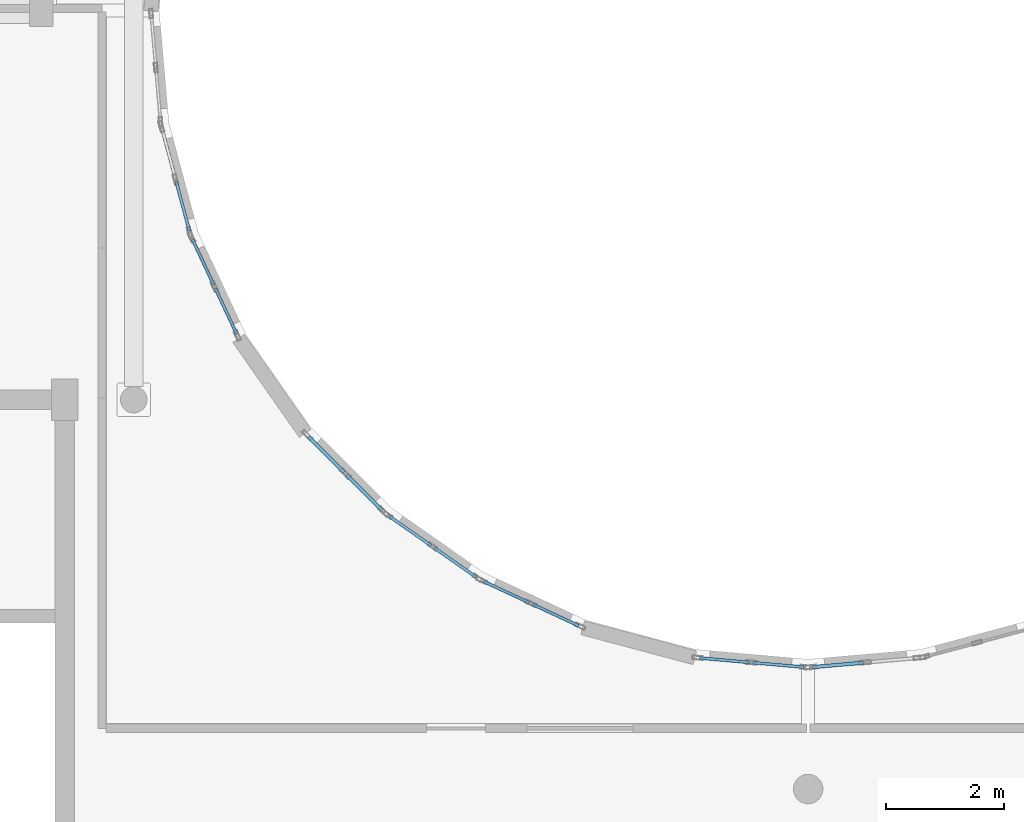
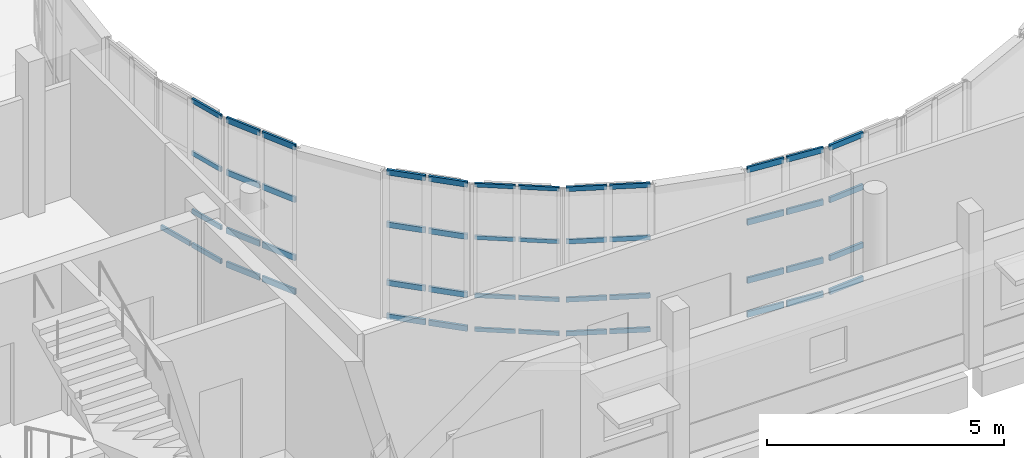
# One storey, part 52 of 105: 49 members, 7 elements without a shape of their own.
"""IFC4 building model written with IfcOpenShell, lengths in metres."""

import ifcopenshell
import ifcopenshell.guid

model = None  # the IFC model being written
_history = None  # IfcOwnerHistory: only IFC2X3 demands one
_inside = {}  # id of a spatial element -> (the spatial element, [elements in it])
_under = {}  # id of a project, library or spatial element -> (it, [spatial elements below it])
_declared = {}  # id of a project -> (the project, [libraries it declares])
_typed = {}  # id of a type object -> (the type object, [elements of that type])
_made_of = {}  # id of a material, layer set ... -> (it, [elements and type objects made of it])


def new_model(schema):
    """Start an empty IFC model of exactly this schema.

    Asked for "IFC4X3", IfcOpenShell would pick the latest addendum, in which some entities
    have other attributes; the version numbers below select the first issue.
    IFC2X3 requires an IfcOwnerHistory on every rooted entity: one is made here for all.
    """
    global model, _history
    if schema == "IFC4X3":
        model = ifcopenshell.file(schema_version=(4, 3, 0, 0))
    else:
        model = ifcopenshell.file(schema=schema)
    _inside.clear()
    _under.clear()
    _declared.clear()
    _typed.clear()
    _made_of.clear()
    _history = None
    if model.schema == "IFC2X3":
        org = make("IfcOrganization", Name="unknown")
        user = make(
            "IfcPersonAndOrganization",
            ThePerson=make("IfcPerson", FamilyName="unknown"),
            TheOrganization=org,
        )
        app = make(
            "IfcApplication",
            ApplicationDeveloper=org,
            Version="unknown",
            ApplicationFullName="unknown",
            ApplicationIdentifier="unknown",
        )
        _history = make(
            "IfcOwnerHistory",
            OwningUser=user,
            OwningApplication=app,
            ChangeAction="ADDED",
            CreationDate=0,
        )
    return model


def make(cls, **values):
    """One entity of the class cls with the attributes given. An attribute that is None is left unset."""
    return model.create_entity(
        cls, **{name: value for name, value in values.items() if value is not None}
    )


def rooted(cls, **values):
    """An entity with a GlobalId (a new one), such as an element, a storey or a relation."""
    return make(cls, GlobalId=ifcopenshell.guid.new(), OwnerHistory=_history, **values)


def si_unit(unit_type, name, prefix=None):
    """IfcSIUnit, for example si_unit("LENGTHUNIT", "METRE", prefix="MILLI")."""
    return make("IfcSIUnit", UnitType=unit_type, Prefix=prefix, Name=name)


def assignment(units):
    """IfcUnitAssignment: the units of a project."""
    return None if units is None else make("IfcUnitAssignment", Units=units)


def point(xyz):
    """IfcCartesianPoint."""
    return None if xyz is None else make("IfcCartesianPoint", Coordinates=xyz)


def direction(xyz):
    """IfcDirection."""
    return None if xyz is None else make("IfcDirection", DirectionRatios=xyz)


def frame(location, z_axis=None, x_axis=None):
    """IfcAxis2Placement3D, a coordinate frame: its origin and axes. An axis left out is left unset."""
    return make(
        "IfcAxis2Placement3D",
        Location=point(location),
        Axis=direction(z_axis),
        RefDirection=direction(x_axis),
    )


def frame_2d(location, x_axis=None):
    """IfcAxis2Placement2D, a coordinate frame in the plane: its origin and x axis."""
    return make(
        "IfcAxis2Placement2D", Location=point(location), RefDirection=direction(x_axis)
    )


def origin():
    """The frame at (0, 0, 0) with its axes left unset."""
    return frame((0.0, 0.0, 0.0))


def origin_2d():
    """The frame at (0, 0) in the plane with its x axis left unset."""
    return frame_2d((0.0, 0.0))


def place(relative_to, where):
    """IfcLocalPlacement: puts the frame where relative to a parent placement (None: the world)."""
    return make(
        "IfcLocalPlacement", PlacementRelTo=relative_to, RelativePlacement=where
    )


def context(
    kind, dimensions, precision=None, world=None, true_north=None, identifier=None
):
    """IfcGeometricRepresentationContext, for example the 3D "Model" context."""
    return make(
        "IfcGeometricRepresentationContext",
        ContextIdentifier=identifier,
        ContextType=kind,
        CoordinateSpaceDimension=dimensions,
        Precision=precision,
        WorldCoordinateSystem=world,
        TrueNorth=true_north,
    )


def subcontext(parent, identifier, kind, view, scale=None):
    """IfcGeometricRepresentationSubContext, for example "Body" below "Model"."""
    return make(
        "IfcGeometricRepresentationSubContext",
        ContextIdentifier=identifier,
        ContextType=kind,
        ParentContext=parent,
        TargetScale=scale,
        TargetView=view,
    )


def project(units=None, contexts=None):
    """IfcProject with its units and contexts."""
    return rooted(
        "IfcProject",
        Name="project",
        RepresentationContexts=contexts,
        UnitsInContext=assignment(units),
    )


def spatial(cls, under=None, at=None, **own):
    """A site, building, storey or space (cls), placed at a placement, below another one or the project."""
    s = rooted(cls, ObjectPlacement=at, **own)
    if under is not None:
        _under.setdefault(under.id(), (under, []))[1].append(s)
    return s


def profile(cls, at=None, kind="AREA", **sizes):
    """A parametric profile (cls). Its sizes go by their IFC names, for example OverallWidth=200.0."""
    return make(cls, ProfileType=kind, Position=at, **sizes)


def hollow_rectangle(**sizes):
    """IfcRectangleHollowProfileDef."""
    return profile("IfcRectangleHollowProfileDef", **sizes)


def extrude(swept, where, along, depth):
    """IfcExtrudedAreaSolid: the profile swept, set in the frame where, extruded along a direction by depth."""
    return make(
        "IfcExtrudedAreaSolid",
        SweptArea=swept,
        Position=where,
        ExtrudedDirection=direction(along),
        Depth=depth,
    )


def shape(context_of_items, identifier, shape_type, items):
    """IfcShapeRepresentation: the items that make up one representation, for example the "Body"."""
    return make(
        "IfcShapeRepresentation",
        ContextOfItems=context_of_items,
        RepresentationIdentifier=identifier,
        RepresentationType=shape_type,
        Items=items,
    )


def material(Name=None, Category=None):
    """IfcMaterial."""
    return make("IfcMaterial", Name=Name, Category=Category)


def layer(
    of_material, thickness, ventilated=None, Name=None, Category=None, Priority=None
):
    """IfcMaterialLayer: one layer of a wall or slab, of a material (None: an air gap)."""
    return make(
        "IfcMaterialLayer",
        Material=of_material,
        LayerThickness=thickness,
        IsVentilated=ventilated,
        Name=Name,
        Category=Category,
        Priority=Priority,
    )


def layer_set(layers, Name=None):
    """IfcMaterialLayerSet."""
    return make("IfcMaterialLayerSet", MaterialLayers=layers, LayerSetName=Name)


def material_profile(
    of_material, cross_section, Name=None, Category=None, Priority=None
):
    """IfcMaterialProfile: a cross section and its material."""
    return make(
        "IfcMaterialProfile",
        Name=Name,
        Material=of_material,
        Profile=cross_section,
        Priority=Priority,
        Category=Category,
    )


def profile_set(profiles, Name=None, composite=None):
    """IfcMaterialProfileSet."""
    return make(
        "IfcMaterialProfileSet",
        Name=Name,
        MaterialProfiles=profiles,
        CompositeProfile=composite,
    )


def made_of(thing, what):
    """Note that an element or type object is made of a material, layer set ...; save() writes the relation."""
    if what is not None:
        _made_of.setdefault(what.id(), (what, []))[1].append(thing)
    return thing


def type_object(cls, material=None, **own):
    """A type object (cls), such as IfcWallType, which elements share."""
    return made_of(rooted(cls, **own), material)


def element(
    cls,
    number,
    at=None,
    inside=None,
    cuts=None,
    type_object=None,
    material=None,
    context=None,
    identifier="Body",
    shape_type=None,
    held_by="IfcProductDefinitionShape",
    body=None,
    shapes=None,
    **own,
):
    """One element of the class cls, such as IfcWall. Its Tag is "e" and its number.

    at: its placement. inside: the storey or other place that contains it. cuts: it is an
    opening in that element (IfcRelVoidsElement). A single representation is given by context,
    identifier, shape_type and body (its items); several are given by shapes. held_by: the class
    of the entity that holds the representations. save() writes the other relations.
    """
    e = rooted(cls, Tag="e%d" % number, ObjectPlacement=at, **own)
    if body is not None:
        shapes = [shape(context, identifier, shape_type, body)]
    if shapes is not None:
        e.Representation = make(held_by, Representations=shapes)
    if inside is not None:
        _inside.setdefault(inside.id(), (inside, []))[1].append(e)
    if cuts is not None:
        rooted(
            "IfcRelVoidsElement", RelatingBuildingElement=cuts, RelatedOpeningElement=e
        )
    if type_object is not None:
        _typed.setdefault(type_object.id(), (type_object, []))[1].append(e)
    return made_of(e, material)


def aggregate(whole, parts):
    """IfcRelAggregates: a whole, such as a stair, and the parts it consists of."""
    return rooted("IfcRelAggregates", RelatingObject=whole, RelatedObjects=parts)


def save(model, path):
    """Write the relations noted so far, then the file.

    IfcRelAggregates (storeys below a building ...), IfcRelContainedInSpatialStructure (elements
    in a storey), IfcRelDefinesByType, IfcRelAssociatesMaterial and IfcRelDeclares: one each for
    every whole, place, type object, material and project.
    """
    for whole, parts in _under.values():
        aggregate(whole, parts)
    for where, things in _inside.values():
        rooted(
            "IfcRelContainedInSpatialStructure",
            RelatedElements=things,
            RelatingStructure=where,
        )
    for kind, things in _typed.values():
        rooted("IfcRelDefinesByType", RelatedObjects=things, RelatingType=kind)
    for what, things in _made_of.values():
        rooted("IfcRelAssociatesMaterial", RelatedObjects=things, RelatingMaterial=what)
    for by, libraries in _declared.values():
        rooted("IfcRelDeclares", RelatingContext=by, RelatedDefinitions=libraries)
    model.write(path)


model = new_model("IFC4")

# Units and contexts
model_context = context("Model", 3, precision=1e-05, world=origin(), true_north=direction((0.0, 1.0)))
body_context = subcontext(model_context, "Body", "Model", "MODEL_VIEW")
ifc_project = project(units=[si_unit("LENGTHUNIT", "METRE"), si_unit("AREAUNIT", "SQUARE_METRE"), si_unit("VOLUMEUNIT", "CUBIC_METRE"), si_unit("PLANEANGLEUNIT", "RADIAN"), si_unit("MASSUNIT", "GRAM", prefix="KILO")], contexts=[model_context])

# Site, building, storey
site_placement = place(None, origin())
site = spatial("IfcSite", under=ifc_project, at=site_placement, CompositionType="ELEMENT")
building_placement = place(site_placement, origin())
building = spatial("IfcBuilding", under=site, at=building_placement, Name="Kelanivale Promenade Academy", CompositionType="ELEMENT")
storey_placement = place(building_placement, frame((0.0, 0.0, 4.199951171875)))
storey = spatial("IfcBuildingStorey", under=building, at=storey_placement, Name="L01", CompositionType="ELEMENT", Elevation=4.199951171875)

# Curtain wall, members
ifc_material_1 = material(Name="Bronze anodised aluminium and solar-control low-E glass", Category="aluminium")
ifc_layer_1 = layer(ifc_material_1, 0.159912109375)
ifc_layer_set_1 = layer_set([ifc_layer_1], Name="Bronze anodised aluminium and solar-control low-E glass")
curtain_wall_type_1 = type_object("IfcCurtainWallType", Name="CW-21 Curtain Wall 1650mm Module", PredefinedType="USERDEFINED", material=ifc_layer_set_1)
curtain_wall_1_placement = place(storey_placement, origin())
curtain_wall_1 = element("IfcCurtainWall", 1, at=curtain_wall_1_placement, inside=storey, type_object=curtain_wall_type_1, Name="L01 courtyard curtain wall CW-21", ObjectType="COURTYARD SCREEN GLAZING", PredefinedType="USERDEFINED")
ifc_material_2 = material(Name="Bronze anodised aluminium EN AW-6063 T6", Category="aluminium")
ifc_material_profile_1 = material_profile(ifc_material_2, hollow_rectangle(XDim=0.050048828125, YDim=0.10009765625, WallThickness=0.0029296875, at=origin_2d()), Name="ALU 50x100x3.0")
ifc_profile_set_1 = profile_set([ifc_material_profile_1], Name="Bronze anodised aluminium EN AW-6063 T6")
member_type_1 = type_object("IfcMemberType", Name="CWT-01 ALU 50x100x3.0", PredefinedType="USERDEFINED", material=ifc_profile_set_1)
member_1_placement = place(storey_placement, frame((56.298095703125, 48.224609375, 0.025146484375), z_axis=(0.819258317899, -0.573424631973, 0.0), x_axis=(0.573424631973, 0.819258317899, 0.0)))
member_1 = element("IfcMember", 2, at=member_1_placement, type_object=member_type_1, Name="CW-21 transom 1.1", ObjectType="TRANSOM", PredefinedType="USERDEFINED", context=body_context, shape_type="SweptSolid", body=[
    extrude(hollow_rectangle(XDim=0.050048828125, YDim=0.10009765625, WallThickness=0.0029296875, at=origin_2d()), origin(), (0.0, 0.0, 1.0), 0.868896484375),
])
member_2_placement = place(storey_placement, frame((56.298095703125, 48.224609375, 0.900146484375), z_axis=(0.819258317899, -0.573424631973, 0.0), x_axis=(0.573424631973, 0.819258317899, 0.0)))
member_2 = element("IfcMember", 3, at=member_2_placement, type_object=member_type_1, Name="CW-21 transom 1.2", ObjectType="TRANSOM", PredefinedType="USERDEFINED", context=body_context, shape_type="SweptSolid", body=[
    extrude(hollow_rectangle(XDim=0.050048828125, YDim=0.10009765625, WallThickness=0.0029296875, at=origin_2d()), origin(), (0.0, 0.0, 1.0), 0.868896484375),
])
member_3_placement = place(storey_placement, frame((56.298095703125, 48.224609375, 2.400146484375), z_axis=(0.819258317899, -0.573424631973, 0.0), x_axis=(0.573424631973, 0.819258317899, 0.0)))
member_3 = element("IfcMember", 4, at=member_3_placement, type_object=member_type_1, Name="CW-21 transom 1.3", ObjectType="TRANSOM", PredefinedType="USERDEFINED", context=body_context, shape_type="SweptSolid", body=[
    extrude(hollow_rectangle(XDim=0.050048828125, YDim=0.10009765625, WallThickness=0.0029296875, at=origin_2d()), origin(), (0.0, 0.0, 1.0), 0.868896484375),
])
member_4_placement = place(storey_placement, frame((56.298095703125, 48.224609375, 3.755126953125), z_axis=(0.819258317899, -0.573424631973, 0.0), x_axis=(0.573424631973, 0.819258317899, 0.0)))
member_4 = element("IfcMember", 5, at=member_4_placement, type_object=member_type_1, Name="CW-21 transom 1.4", ObjectType="TRANSOM", PredefinedType="USERDEFINED", context=body_context, shape_type="SweptSolid", body=[
    extrude(hollow_rectangle(XDim=0.050048828125, YDim=0.10009765625, WallThickness=0.0029296875, at=origin_2d()), origin(), (0.0, 0.0, 1.0), 0.868896484375),
])
member_5_placement = place(storey_placement, frame((57.05908203125, 47.69189453125, 0.025146484375), z_axis=(0.819033871166, -0.573745168069, 0.0), x_axis=(0.573745168069, 0.819033871166, 0.0)))
member_5 = element("IfcMember", 6, at=member_5_placement, type_object=member_type_1, Name="CW-21 transom 2.1", ObjectType="TRANSOM", PredefinedType="USERDEFINED", context=body_context, shape_type="SweptSolid", body=[
    extrude(hollow_rectangle(XDim=0.050048828125, YDim=0.10009765625, WallThickness=0.0029296875, at=origin_2d()), origin(), (0.0, 0.0, 1.0), 0.868896484375),
])
member_6_placement = place(storey_placement, frame((57.05908203125, 47.69189453125, 0.900146484375), z_axis=(0.819033871166, -0.573745168069, 0.0), x_axis=(0.573745168069, 0.819033871166, 0.0)))
member_6 = element("IfcMember", 7, at=member_6_placement, type_object=member_type_1, Name="CW-21 transom 2.2", ObjectType="TRANSOM", PredefinedType="USERDEFINED", context=body_context, shape_type="SweptSolid", body=[
    extrude(hollow_rectangle(XDim=0.050048828125, YDim=0.10009765625, WallThickness=0.0029296875, at=origin_2d()), origin(), (0.0, 0.0, 1.0), 0.868896484375),
])
member_7_placement = place(storey_placement, frame((57.05908203125, 47.69189453125, 2.400146484375), z_axis=(0.819033871166, -0.573745168069, 0.0), x_axis=(0.573745168069, 0.819033871166, 0.0)))
member_7 = element("IfcMember", 8, at=member_7_placement, type_object=member_type_1, Name="CW-21 transom 2.3", ObjectType="TRANSOM", PredefinedType="USERDEFINED", context=body_context, shape_type="SweptSolid", body=[
    extrude(hollow_rectangle(XDim=0.050048828125, YDim=0.10009765625, WallThickness=0.0029296875, at=origin_2d()), origin(), (0.0, 0.0, 1.0), 0.868896484375),
])
member_8_placement = place(storey_placement, frame((57.05908203125, 47.69189453125, 3.755126953125), z_axis=(0.819033871166, -0.573745168069, 0.0), x_axis=(0.573745168069, 0.819033871166, 0.0)))
member_8 = element("IfcMember", 9, at=member_8_placement, type_object=member_type_1, Name="CW-21 transom 2.4", ObjectType="TRANSOM", PredefinedType="USERDEFINED", context=body_context, shape_type="SweptSolid", body=[
    extrude(hollow_rectangle(XDim=0.050048828125, YDim=0.10009765625, WallThickness=0.0029296875, at=origin_2d()), origin(), (0.0, 0.0, 1.0), 0.868896484375),
])
aggregate(curtain_wall_1, [member_1, member_2, member_3, member_4, member_5, member_6, member_7, member_8])

ifc_layer_2 = layer(ifc_material_1, 0.159912109375)
ifc_layer_set_2 = layer_set([ifc_layer_2], Name="Bronze anodised aluminium and solar-control low-E glass")
curtain_wall_type_2 = type_object("IfcCurtainWallType", Name="CW-18 Curtain Wall 1200mm Module", PredefinedType="USERDEFINED", material=ifc_layer_set_2)
curtain_wall_2_placement = place(storey_placement, origin())
curtain_wall_2 = element("IfcCurtainWall", 10, at=curtain_wall_2_placement, inside=storey, type_object=curtain_wall_type_2, Name="L01 courtyard curtain wall CW-18", ObjectType="COURTYARD SCREEN GLAZING", PredefinedType="USERDEFINED")
ifc_material_profile_2 = material_profile(ifc_material_2, hollow_rectangle(XDim=0.050048828125, YDim=0.1201171875, WallThickness=0.0029296875, at=origin_2d()), Name="ALU 50x120x3.0")
ifc_profile_set_2 = profile_set([ifc_material_profile_2], Name="Bronze anodised aluminium EN AW-6063 T6")
member_type_2 = type_object("IfcMemberType", Name="CWT-02 ALU 50x120x3.0", PredefinedType="USERDEFINED", material=ifc_profile_set_2)
member_9_placement = place(storey_placement, frame((52.447509765625, 54.796142578125, 0.025146484375), z_axis=(0.258572180527, -0.965991939644, 0.0), x_axis=(0.965991939644, 0.258572180527, 0.0)))
member_9 = element("IfcMember", 11, at=member_9_placement, type_object=member_type_2, Name="CW-18 transom 1.1", ObjectType="TRANSOM", PredefinedType="USERDEFINED", context=body_context, shape_type="SweptSolid", body=[
    extrude(hollow_rectangle(XDim=0.050048828125, YDim=0.1201171875, WallThickness=0.0029296875, at=origin_2d()), origin(), (0.0, 0.0, 1.0), 0.86865234375),
])
member_10_placement = place(storey_placement, frame((52.687744140625, 53.89892578125, 0.025146484375), z_axis=(0.258904698654, -0.965902871419, 0.0), x_axis=(0.965902871419, 0.258904698654, 0.0)))
member_10 = element("IfcMember", 12, at=member_10_placement, type_object=member_type_2, Name="CW-18 transom 2.1", ObjectType="TRANSOM", PredefinedType="USERDEFINED", context=body_context, shape_type="SweptSolid", body=[
    extrude(hollow_rectangle(XDim=0.050048828125, YDim=0.1201171875, WallThickness=0.0029296875, at=origin_2d()), origin(), (0.0, 0.0, 1.0), 0.868408203125),
])
member_11_placement = place(storey_placement, frame((52.687744140625, 53.89892578125, 0.900146484375), z_axis=(0.258904698654, -0.965902871419, 0.0), x_axis=(0.965902871419, 0.258904698654, 0.0)))
member_11 = element("IfcMember", 13, at=member_11_placement, type_object=member_type_2, Name="CW-18 transom 2.2", ObjectType="TRANSOM", PredefinedType="USERDEFINED", context=body_context, shape_type="SweptSolid", body=[
    extrude(hollow_rectangle(XDim=0.050048828125, YDim=0.1201171875, WallThickness=0.0029296875, at=origin_2d()), origin(), (0.0, 0.0, 1.0), 0.868408203125),
])
member_12_placement = place(storey_placement, frame((52.687744140625, 53.89892578125, 2.400146484375), z_axis=(0.258904698654, -0.965902871419, 0.0), x_axis=(0.965902871419, 0.258904698654, 0.0)))
member_12 = element("IfcMember", 14, at=member_12_placement, type_object=member_type_2, Name="CW-18 transom 2.3", ObjectType="TRANSOM", PredefinedType="USERDEFINED", context=body_context, shape_type="SweptSolid", body=[
    extrude(hollow_rectangle(XDim=0.050048828125, YDim=0.1201171875, WallThickness=0.0029296875, at=origin_2d()), origin(), (0.0, 0.0, 1.0), 0.868408203125),
])
member_13_placement = place(storey_placement, frame((52.687744140625, 53.89892578125, 3.755126953125), z_axis=(0.258904698654, -0.965902871419, 0.0), x_axis=(0.965902871419, 0.258904698654, 0.0)))
member_13 = element("IfcMember", 15, at=member_13_placement, type_object=member_type_2, Name="CW-18 transom 2.4", ObjectType="TRANSOM", PredefinedType="USERDEFINED", context=body_context, shape_type="SweptSolid", body=[
    extrude(hollow_rectangle(XDim=0.050048828125, YDim=0.1201171875, WallThickness=0.0029296875, at=origin_2d()), origin(), (0.0, 0.0, 1.0), 0.868408203125),
])
aggregate(curtain_wall_2, [member_9, member_10, member_11, member_12, member_13])

ifc_layer_3 = layer(ifc_material_1, 0.169921875)
ifc_layer_set_3 = layer_set([ifc_layer_3], Name="Bronze anodised aluminium and solar-control low-E glass")
curtain_wall_type_3 = type_object("IfcCurtainWallType", Name="CW-22 Curtain Wall 1800mm Module", PredefinedType="USERDEFINED", material=ifc_layer_set_3)
curtain_wall_3_placement = place(storey_placement, origin())
curtain_wall_3 = element("IfcCurtainWall", 16, at=curtain_wall_3_placement, inside=storey, type_object=curtain_wall_type_3, Name="L01 courtyard curtain wall CW-22", ObjectType="COURTYARD SCREEN GLAZING", PredefinedType="USERDEFINED")
member_14_placement = place(storey_placement, frame((57.895263671875, 47.12158203125, 0.025146484375), z_axis=(0.906067258868, -0.423133693303, 0.0), x_axis=(0.423133693303, 0.906067258868, 0.0)))
member_14 = element("IfcMember", 17, at=member_14_placement, type_object=member_type_2, Name="CW-22 transom 1.1", ObjectType="TRANSOM", PredefinedType="USERDEFINED", context=body_context, shape_type="SweptSolid", body=[
    extrude(hollow_rectangle(XDim=0.050048828125, YDim=0.1201171875, WallThickness=0.0029296875, at=origin_2d()), origin(), (0.0, 0.0, 1.0), 0.861328125),
])
member_15_placement = place(storey_placement, frame((57.895263671875, 47.12158203125, 0.900146484375), z_axis=(0.906067258868, -0.423133693303, 0.0), x_axis=(0.423133693303, 0.906067258868, 0.0)))
member_15 = element("IfcMember", 18, at=member_15_placement, type_object=member_type_2, Name="CW-22 transom 1.2", ObjectType="TRANSOM", PredefinedType="USERDEFINED", context=body_context, shape_type="SweptSolid", body=[
    extrude(hollow_rectangle(XDim=0.050048828125, YDim=0.1201171875, WallThickness=0.0029296875, at=origin_2d()), origin(), (0.0, 0.0, 1.0), 0.861328125),
])
member_16_placement = place(storey_placement, frame((57.895263671875, 47.12158203125, 2.400146484375), z_axis=(0.906067258868, -0.423133693303, 0.0), x_axis=(0.423133693303, 0.906067258868, 0.0)))
member_16 = element("IfcMember", 19, at=member_16_placement, type_object=member_type_2, Name="CW-22 transom 1.3", ObjectType="TRANSOM", PredefinedType="USERDEFINED", context=body_context, shape_type="SweptSolid", body=[
    extrude(hollow_rectangle(XDim=0.050048828125, YDim=0.1201171875, WallThickness=0.0029296875, at=origin_2d()), origin(), (0.0, 0.0, 1.0), 0.861328125),
])
member_17_placement = place(storey_placement, frame((57.895263671875, 47.12158203125, 3.755126953125), z_axis=(0.906067258868, -0.423133693303, 0.0), x_axis=(0.423133693303, 0.906067258868, 0.0)))
member_17 = element("IfcMember", 20, at=member_17_placement, type_object=member_type_2, Name="CW-22 transom 1.4", ObjectType="TRANSOM", PredefinedType="USERDEFINED", context=body_context, shape_type="SweptSolid", body=[
    extrude(hollow_rectangle(XDim=0.050048828125, YDim=0.1201171875, WallThickness=0.0029296875, at=origin_2d()), origin(), (0.0, 0.0, 1.0), 0.861328125),
])
member_18_placement = place(storey_placement, frame((58.730224609375, 46.731689453125, 0.025146484375), z_axis=(0.906175898549, -0.422900982369, 0.0), x_axis=(0.422900982369, 0.906175898549, 0.0)))
member_18 = element("IfcMember", 21, at=member_18_placement, type_object=member_type_2, Name="CW-22 transom 2.1", ObjectType="TRANSOM", PredefinedType="USERDEFINED", context=body_context, shape_type="SweptSolid", body=[
    extrude(hollow_rectangle(XDim=0.050048828125, YDim=0.1201171875, WallThickness=0.0029296875, at=origin_2d()), origin(), (0.0, 0.0, 1.0), 0.861328125),
])
member_19_placement = place(storey_placement, frame((58.730224609375, 46.731689453125, 0.900146484375), z_axis=(0.906175898549, -0.422900982369, 0.0), x_axis=(0.422900982369, 0.906175898549, 0.0)))
member_19 = element("IfcMember", 22, at=member_19_placement, type_object=member_type_2, Name="CW-22 transom 2.2", ObjectType="TRANSOM", PredefinedType="USERDEFINED", context=body_context, shape_type="SweptSolid", body=[
    extrude(hollow_rectangle(XDim=0.050048828125, YDim=0.1201171875, WallThickness=0.0029296875, at=origin_2d()), origin(), (0.0, 0.0, 1.0), 0.861328125),
])
member_20_placement = place(storey_placement, frame((58.730224609375, 46.731689453125, 2.400146484375), z_axis=(0.906175898549, -0.422900982369, 0.0), x_axis=(0.422900982369, 0.906175898549, 0.0)))
member_20 = element("IfcMember", 23, at=member_20_placement, type_object=member_type_2, Name="CW-22 transom 2.3", ObjectType="TRANSOM", PredefinedType="USERDEFINED", context=body_context, shape_type="SweptSolid", body=[
    extrude(hollow_rectangle(XDim=0.050048828125, YDim=0.1201171875, WallThickness=0.0029296875, at=origin_2d()), origin(), (0.0, 0.0, 1.0), 0.861328125),
])
member_21_placement = place(storey_placement, frame((58.730224609375, 46.731689453125, 3.755126953125), z_axis=(0.906175898549, -0.422900982369, 0.0), x_axis=(0.422900982369, 0.906175898549, 0.0)))
member_21 = element("IfcMember", 24, at=member_21_placement, type_object=member_type_2, Name="CW-22 transom 2.4", ObjectType="TRANSOM", PredefinedType="USERDEFINED", context=body_context, shape_type="SweptSolid", body=[
    extrude(hollow_rectangle(XDim=0.050048828125, YDim=0.1201171875, WallThickness=0.0029296875, at=origin_2d()), origin(), (0.0, 0.0, 1.0), 0.861328125),
])
aggregate(curtain_wall_3, [member_14, member_15, member_16, member_17, member_18, member_19, member_20, member_21])

ifc_layer_4 = layer(ifc_material_1, 0.169921875)
ifc_layer_set_4 = layer_set([ifc_layer_4], Name="Bronze anodised aluminium and solar-control low-E glass")
curtain_wall_type_4 = type_object("IfcCurtainWallType", Name="CW-19 Curtain Wall 1350mm Module", PredefinedType="USERDEFINED", material=ifc_layer_set_4)
curtain_wall_4_placement = place(storey_placement, origin())
curtain_wall_4 = element("IfcCurtainWall", 25, at=curtain_wall_4_placement, inside=storey, type_object=curtain_wall_type_4, Name="L01 courtyard curtain wall CW-19", ObjectType="COURTYARD SCREEN GLAZING", PredefinedType="USERDEFINED")
ifc_material_profile_3 = material_profile(ifc_material_2, hollow_rectangle(XDim=0.050048828125, YDim=0.14990234375, WallThickness=0.00341796875, at=origin_2d()), Name="ALU 50x150x3.5")
ifc_profile_set_3 = profile_set([ifc_material_profile_3], Name="Bronze anodised aluminium EN AW-6063 T6")
member_type_3 = type_object("IfcMemberType", Name="CWT-03 ALU 50x150x3.5", PredefinedType="USERDEFINED", material=ifc_profile_set_3)
member_22_placement = place(storey_placement, frame((52.96337890625, 52.920166015625, 0.025146484375), z_axis=(0.423151534201, -0.906058926949, 0.0), x_axis=(0.906058926949, 0.423151534201, 0.0)))
member_22 = element("IfcMember", 26, at=member_22_placement, type_object=member_type_3, Name="CW-19 transom 1.1", ObjectType="TRANSOM", PredefinedType="USERDEFINED", context=body_context, shape_type="SweptSolid", body=[
    extrude(hollow_rectangle(XDim=0.050048828125, YDim=0.14990234375, WallThickness=0.00341796875, at=origin_2d()), origin(), (0.0, 0.0, 1.0), 0.85400390625),
])
member_23_placement = place(storey_placement, frame((52.96337890625, 52.920166015625, 0.900146484375), z_axis=(0.423151534201, -0.906058926949, 0.0), x_axis=(0.906058926949, 0.423151534201, 0.0)))
member_23 = element("IfcMember", 27, at=member_23_placement, type_object=member_type_3, Name="CW-19 transom 1.2", ObjectType="TRANSOM", PredefinedType="USERDEFINED", context=body_context, shape_type="SweptSolid", body=[
    extrude(hollow_rectangle(XDim=0.050048828125, YDim=0.14990234375, WallThickness=0.00341796875, at=origin_2d()), origin(), (0.0, 0.0, 1.0), 0.85400390625),
])
member_24_placement = place(storey_placement, frame((52.96337890625, 52.920166015625, 2.400146484375), z_axis=(0.423151534201, -0.906058926949, 0.0), x_axis=(0.906058926949, 0.423151534201, 0.0)))
member_24 = element("IfcMember", 28, at=member_24_placement, type_object=member_type_3, Name="CW-19 transom 1.3", ObjectType="TRANSOM", PredefinedType="USERDEFINED", context=body_context, shape_type="SweptSolid", body=[
    extrude(hollow_rectangle(XDim=0.050048828125, YDim=0.14990234375, WallThickness=0.00341796875, at=origin_2d()), origin(), (0.0, 0.0, 1.0), 0.85400390625),
])
member_25_placement = place(storey_placement, frame((52.96337890625, 52.920166015625, 3.755126953125), z_axis=(0.423151534201, -0.906058926949, 0.0), x_axis=(0.906058926949, 0.423151534201, 0.0)))
member_25 = element("IfcMember", 29, at=member_25_placement, type_object=member_type_3, Name="CW-19 transom 1.4", ObjectType="TRANSOM", PredefinedType="USERDEFINED", context=body_context, shape_type="SweptSolid", body=[
    extrude(hollow_rectangle(XDim=0.050048828125, YDim=0.14990234375, WallThickness=0.00341796875, at=origin_2d()), origin(), (0.0, 0.0, 1.0), 0.85400390625),
])
member_26_placement = place(storey_placement, frame((53.352294921875, 52.087646484375, 0.025146484375), z_axis=(0.42291677323, -0.906168528984, 0.0), x_axis=(0.906168528984, 0.42291677323, 0.0)))
member_26 = element("IfcMember", 30, at=member_26_placement, type_object=member_type_3, Name="CW-19 transom 2.1", ObjectType="TRANSOM", PredefinedType="USERDEFINED", context=body_context, shape_type="SweptSolid", body=[
    extrude(hollow_rectangle(XDim=0.050048828125, YDim=0.14990234375, WallThickness=0.00341796875, at=origin_2d()), origin(), (0.0, 0.0, 1.0), 0.853759765625),
])
member_27_placement = place(storey_placement, frame((53.352294921875, 52.087646484375, 0.900146484375), z_axis=(0.42291677323, -0.906168528984, 0.0), x_axis=(0.906168528984, 0.42291677323, 0.0)))
member_27 = element("IfcMember", 31, at=member_27_placement, type_object=member_type_3, Name="CW-19 transom 2.2", ObjectType="TRANSOM", PredefinedType="USERDEFINED", context=body_context, shape_type="SweptSolid", body=[
    extrude(hollow_rectangle(XDim=0.050048828125, YDim=0.14990234375, WallThickness=0.00341796875, at=origin_2d()), origin(), (0.0, 0.0, 1.0), 0.853759765625),
])
member_28_placement = place(storey_placement, frame((53.352294921875, 52.087646484375, 2.400146484375), z_axis=(0.42291677323, -0.906168528984, 0.0), x_axis=(0.906168528984, 0.42291677323, 0.0)))
member_28 = element("IfcMember", 32, at=member_28_placement, type_object=member_type_3, Name="CW-19 transom 2.3", ObjectType="TRANSOM", PredefinedType="USERDEFINED", context=body_context, shape_type="SweptSolid", body=[
    extrude(hollow_rectangle(XDim=0.050048828125, YDim=0.14990234375, WallThickness=0.00341796875, at=origin_2d()), origin(), (0.0, 0.0, 1.0), 0.853759765625),
])
member_29_placement = place(storey_placement, frame((53.352294921875, 52.087646484375, 3.755126953125), z_axis=(0.42291677323, -0.906168528984, 0.0), x_axis=(0.906168528984, 0.42291677323, 0.0)))
member_29 = element("IfcMember", 33, at=member_29_placement, type_object=member_type_3, Name="CW-19 transom 2.4", ObjectType="TRANSOM", PredefinedType="USERDEFINED", context=body_context, shape_type="SweptSolid", body=[
    extrude(hollow_rectangle(XDim=0.050048828125, YDim=0.14990234375, WallThickness=0.00341796875, at=origin_2d()), origin(), (0.0, 0.0, 1.0), 0.853759765625),
])
aggregate(curtain_wall_4, [member_22, member_23, member_24, member_25, member_26, member_27, member_28, member_29])

ifc_layer_5 = layer(ifc_material_1, 0.179931640625)
ifc_layer_set_5 = layer_set([ifc_layer_5], Name="Bronze anodised aluminium and solar-control low-E glass")
curtain_wall_type_5 = type_object("IfcCurtainWallType", Name="CW-23 Curtain Wall 1950mm Module", PredefinedType="USERDEFINED", material=ifc_layer_set_5)
curtain_wall_5_placement = place(storey_placement, origin())
curtain_wall_5 = element("IfcCurtainWall", 34, at=curtain_wall_5_placement, inside=storey, type_object=curtain_wall_type_5, Name="L01 courtyard curtain wall CW-23", ObjectType="COURTYARD SCREEN GLAZING", PredefinedType="USERDEFINED")
member_30_placement = place(storey_placement, frame((61.557861328125, 45.8212890625, 0.025146484375), z_axis=(0.996187816641, -0.087234362353, 0.0), x_axis=(0.087234362353, 0.996187816641, 0.0)))
member_30 = element("IfcMember", 35, at=member_30_placement, type_object=member_type_3, Name="CW-23 transom 1.1", ObjectType="TRANSOM", PredefinedType="USERDEFINED", context=body_context, shape_type="SweptSolid", body=[
    extrude(hollow_rectangle(XDim=0.050048828125, YDim=0.14990234375, WallThickness=0.00341796875, at=origin_2d()), origin(), (0.0, 0.0, 1.0), 0.853515625),
])
member_31_placement = place(storey_placement, frame((61.557861328125, 45.8212890625, 0.900146484375), z_axis=(0.996187816641, -0.087234362353, 0.0), x_axis=(0.087234362353, 0.996187816641, 0.0)))
member_31 = element("IfcMember", 36, at=member_31_placement, type_object=member_type_3, Name="CW-23 transom 1.2", ObjectType="TRANSOM", PredefinedType="USERDEFINED", context=body_context, shape_type="SweptSolid", body=[
    extrude(hollow_rectangle(XDim=0.050048828125, YDim=0.14990234375, WallThickness=0.00341796875, at=origin_2d()), origin(), (0.0, 0.0, 1.0), 0.853515625),
])
member_32_placement = place(storey_placement, frame((61.557861328125, 45.8212890625, 2.400146484375), z_axis=(0.996187816641, -0.087234362353, 0.0), x_axis=(0.087234362353, 0.996187816641, 0.0)))
member_32 = element("IfcMember", 37, at=member_32_placement, type_object=member_type_3, Name="CW-23 transom 1.3", ObjectType="TRANSOM", PredefinedType="USERDEFINED", context=body_context, shape_type="SweptSolid", body=[
    extrude(hollow_rectangle(XDim=0.050048828125, YDim=0.14990234375, WallThickness=0.00341796875, at=origin_2d()), origin(), (0.0, 0.0, 1.0), 0.853515625),
])
member_33_placement = place(storey_placement, frame((61.557861328125, 45.8212890625, 3.755126953125), z_axis=(0.996187816641, -0.087234362353, 0.0), x_axis=(0.087234362353, 0.996187816641, 0.0)))
member_33 = element("IfcMember", 38, at=member_33_placement, type_object=member_type_3, Name="CW-23 transom 1.4", ObjectType="TRANSOM", PredefinedType="USERDEFINED", context=body_context, shape_type="SweptSolid", body=[
    extrude(hollow_rectangle(XDim=0.050048828125, YDim=0.14990234375, WallThickness=0.00341796875, at=origin_2d()), origin(), (0.0, 0.0, 1.0), 0.853515625),
])
member_34_placement = place(storey_placement, frame((62.472900390625, 45.7412109375, 0.025146484375), z_axis=(0.996187816641, -0.087234362353, 0.0), x_axis=(0.087234362353, 0.996187816641, 0.0)))
member_34 = element("IfcMember", 39, at=member_34_placement, type_object=member_type_3, Name="CW-23 transom 2.1", ObjectType="TRANSOM", PredefinedType="USERDEFINED", context=body_context, shape_type="SweptSolid", body=[
    extrude(hollow_rectangle(XDim=0.050048828125, YDim=0.14990234375, WallThickness=0.00341796875, at=origin_2d()), origin(), (0.0, 0.0, 1.0), 0.853515625),
])
member_35_placement = place(storey_placement, frame((62.472900390625, 45.7412109375, 0.900146484375), z_axis=(0.996187816641, -0.087234362353, 0.0), x_axis=(0.087234362353, 0.996187816641, 0.0)))
member_35 = element("IfcMember", 40, at=member_35_placement, type_object=member_type_3, Name="CW-23 transom 2.2", ObjectType="TRANSOM", PredefinedType="USERDEFINED", context=body_context, shape_type="SweptSolid", body=[
    extrude(hollow_rectangle(XDim=0.050048828125, YDim=0.14990234375, WallThickness=0.00341796875, at=origin_2d()), origin(), (0.0, 0.0, 1.0), 0.853515625),
])
member_36_placement = place(storey_placement, frame((62.472900390625, 45.7412109375, 2.400146484375), z_axis=(0.996187816641, -0.087234362353, 0.0), x_axis=(0.087234362353, 0.996187816641, 0.0)))
member_36 = element("IfcMember", 41, at=member_36_placement, type_object=member_type_3, Name="CW-23 transom 2.3", ObjectType="TRANSOM", PredefinedType="USERDEFINED", context=body_context, shape_type="SweptSolid", body=[
    extrude(hollow_rectangle(XDim=0.050048828125, YDim=0.14990234375, WallThickness=0.00341796875, at=origin_2d()), origin(), (0.0, 0.0, 1.0), 0.853515625),
])
member_37_placement = place(storey_placement, frame((62.472900390625, 45.7412109375, 3.755126953125), z_axis=(0.996187816641, -0.087234362353, 0.0), x_axis=(0.087234362353, 0.996187816641, 0.0)))
member_37 = element("IfcMember", 42, at=member_37_placement, type_object=member_type_3, Name="CW-23 transom 2.4", ObjectType="TRANSOM", PredefinedType="USERDEFINED", context=body_context, shape_type="SweptSolid", body=[
    extrude(hollow_rectangle(XDim=0.050048828125, YDim=0.14990234375, WallThickness=0.00341796875, at=origin_2d()), origin(), (0.0, 0.0, 1.0), 0.853515625),
])
aggregate(curtain_wall_5, [member_30, member_31, member_32, member_33, member_34, member_35, member_36, member_37])

ifc_layer_6 = layer(ifc_material_1, 0.179931640625)
ifc_layer_set_6 = layer_set([ifc_layer_6], Name="Bronze anodised aluminium and solar-control low-E glass")
curtain_wall_type_6 = type_object("IfcCurtainWallType", Name="CW-20 Curtain Wall 1500mm Module", PredefinedType="USERDEFINED", material=ifc_layer_set_6)
curtain_wall_6_placement = place(storey_placement, origin())
curtain_wall_6 = element("IfcCurtainWall", 43, at=curtain_wall_6_placement, inside=storey, type_object=curtain_wall_type_6, Name="L01 courtyard curtain wall CW-20", ObjectType="COURTYARD SCREEN GLAZING", PredefinedType="USERDEFINED")
ifc_material_profile_4 = material_profile(ifc_material_2, hollow_rectangle(XDim=0.06005859375, YDim=0.139892578125, WallThickness=0.00341796875, at=origin_2d()), Name="ALU 60x140x3.5")
ifc_profile_set_4 = profile_set([ifc_material_profile_4], Name="Bronze anodised aluminium EN AW-6063 T6")
member_type_4 = type_object("IfcMemberType", Name="CWT-04 ALU 60x140x3.5", PredefinedType="USERDEFINED", material=ifc_profile_set_4)
member_38_placement = place(storey_placement, frame((54.931884765625, 49.572998046875, 0.030029296875), z_axis=(0.707106781187, -0.707106781187, 0.0), x_axis=(0.707106781187, 0.707106781187, 0.0)))
member_38 = element("IfcMember", 44, at=member_38_placement, type_object=member_type_4, Name="CW-20 transom 1.1", ObjectType="TRANSOM", PredefinedType="USERDEFINED", context=body_context, shape_type="SweptSolid", body=[
    extrude(hollow_rectangle(XDim=0.06005859375, YDim=0.139892578125, WallThickness=0.00341796875, at=origin_2d()), origin(), (0.0, 0.0, 1.0), 0.852783203125),
])
member_39_placement = place(storey_placement, frame((54.931884765625, 49.572998046875, 0.900146484375), z_axis=(0.707106781187, -0.707106781187, 0.0), x_axis=(0.707106781187, 0.707106781187, 0.0)))
member_39 = element("IfcMember", 45, at=member_39_placement, type_object=member_type_4, Name="CW-20 transom 1.2", ObjectType="TRANSOM", PredefinedType="USERDEFINED", context=body_context, shape_type="SweptSolid", body=[
    extrude(hollow_rectangle(XDim=0.06005859375, YDim=0.139892578125, WallThickness=0.00341796875, at=origin_2d()), origin(), (0.0, 0.0, 1.0), 0.852783203125),
])
member_40_placement = place(storey_placement, frame((54.931884765625, 49.572998046875, 2.400146484375), z_axis=(0.707106781187, -0.707106781187, 0.0), x_axis=(0.707106781187, 0.707106781187, 0.0)))
member_40 = element("IfcMember", 46, at=member_40_placement, type_object=member_type_4, Name="CW-20 transom 1.3", ObjectType="TRANSOM", PredefinedType="USERDEFINED", context=body_context, shape_type="SweptSolid", body=[
    extrude(hollow_rectangle(XDim=0.06005859375, YDim=0.139892578125, WallThickness=0.00341796875, at=origin_2d()), origin(), (0.0, 0.0, 1.0), 0.852783203125),
])
member_41_placement = place(storey_placement, frame((54.931884765625, 49.572998046875, 3.75), z_axis=(0.707106781187, -0.707106781187, 0.0), x_axis=(0.707106781187, 0.707106781187, 0.0)))
member_41 = element("IfcMember", 47, at=member_41_placement, type_object=member_type_4, Name="CW-20 transom 1.4", ObjectType="TRANSOM", PredefinedType="USERDEFINED", context=body_context, shape_type="SweptSolid", body=[
    extrude(hollow_rectangle(XDim=0.06005859375, YDim=0.139892578125, WallThickness=0.00341796875, at=origin_2d()), origin(), (0.0, 0.0, 1.0), 0.852783203125),
])
member_42_placement = place(storey_placement, frame((55.5810546875, 48.924072265625, 0.030029296875), z_axis=(0.707106781187, -0.707106781187, 0.0), x_axis=(0.707106781187, 0.707106781187, 0.0)))
member_42 = element("IfcMember", 48, at=member_42_placement, type_object=member_type_4, Name="CW-20 transom 2.1", ObjectType="TRANSOM", PredefinedType="USERDEFINED", context=body_context, shape_type="SweptSolid", body=[
    extrude(hollow_rectangle(XDim=0.06005859375, YDim=0.139892578125, WallThickness=0.00341796875, at=origin_2d()), origin(), (0.0, 0.0, 1.0), 0.852783203125),
])
member_43_placement = place(storey_placement, frame((55.5810546875, 48.924072265625, 0.900146484375), z_axis=(0.707106781187, -0.707106781187, 0.0), x_axis=(0.707106781187, 0.707106781187, 0.0)))
member_43 = element("IfcMember", 49, at=member_43_placement, type_object=member_type_4, Name="CW-20 transom 2.2", ObjectType="TRANSOM", PredefinedType="USERDEFINED", context=body_context, shape_type="SweptSolid", body=[
    extrude(hollow_rectangle(XDim=0.06005859375, YDim=0.139892578125, WallThickness=0.00341796875, at=origin_2d()), origin(), (0.0, 0.0, 1.0), 0.852783203125),
])
member_44_placement = place(storey_placement, frame((55.5810546875, 48.924072265625, 2.400146484375), z_axis=(0.707106781187, -0.707106781187, 0.0), x_axis=(0.707106781187, 0.707106781187, 0.0)))
member_44 = element("IfcMember", 50, at=member_44_placement, type_object=member_type_4, Name="CW-20 transom 2.3", ObjectType="TRANSOM", PredefinedType="USERDEFINED", context=body_context, shape_type="SweptSolid", body=[
    extrude(hollow_rectangle(XDim=0.06005859375, YDim=0.139892578125, WallThickness=0.00341796875, at=origin_2d()), origin(), (0.0, 0.0, 1.0), 0.852783203125),
])
member_45_placement = place(storey_placement, frame((55.5810546875, 48.924072265625, 3.75), z_axis=(0.707106781187, -0.707106781187, 0.0), x_axis=(0.707106781187, 0.707106781187, 0.0)))
member_45 = element("IfcMember", 51, at=member_45_placement, type_object=member_type_4, Name="CW-20 transom 2.4", ObjectType="TRANSOM", PredefinedType="USERDEFINED", context=body_context, shape_type="SweptSolid", body=[
    extrude(hollow_rectangle(XDim=0.06005859375, YDim=0.139892578125, WallThickness=0.00341796875, at=origin_2d()), origin(), (0.0, 0.0, 1.0), 0.852783203125),
])
aggregate(curtain_wall_6, [member_38, member_39, member_40, member_41, member_42, member_43, member_44, member_45])

ifc_layer_7 = layer(ifc_material_1, 0.159912109375)
ifc_layer_set_7 = layer_set([ifc_layer_7], Name="Bronze anodised aluminium and solar-control low-E glass")
curtain_wall_type_7 = type_object("IfcCurtainWallType", Name="CW-24 Curtain Wall 1200mm Module", PredefinedType="USERDEFINED", material=ifc_layer_set_7)
curtain_wall_7_placement = place(storey_placement, origin())
curtain_wall_7 = element("IfcCurtainWall", 52, at=curtain_wall_7_placement, inside=storey, type_object=curtain_wall_type_7, Name="L01 courtyard curtain wall CW-24", ObjectType="COURTYARD SCREEN GLAZING", PredefinedType="USERDEFINED")
member_46_placement = place(storey_placement, frame((63.476806640625, 45.666748046875, 0.030029296875), z_axis=(0.996205401814, 0.087033311997, 0.0), x_axis=(-0.087033311997, 0.996205401814, 0.0)))
member_46 = element("IfcMember", 53, at=member_46_placement, type_object=member_type_4, Name="CW-24 transom 1.1", ObjectType="TRANSOM", PredefinedType="USERDEFINED", context=body_context, shape_type="SweptSolid", body=[
    extrude(hollow_rectangle(XDim=0.06005859375, YDim=0.139892578125, WallThickness=0.00341796875, at=origin_2d()), origin(), (0.0, 0.0, 1.0), 0.861083984375),
])
member_47_placement = place(storey_placement, frame((63.476806640625, 45.666748046875, 0.900146484375), z_axis=(0.996205401814, 0.087033311997, 0.0), x_axis=(-0.087033311997, 0.996205401814, 0.0)))
member_47 = element("IfcMember", 54, at=member_47_placement, type_object=member_type_4, Name="CW-24 transom 1.2", ObjectType="TRANSOM", PredefinedType="USERDEFINED", context=body_context, shape_type="SweptSolid", body=[
    extrude(hollow_rectangle(XDim=0.06005859375, YDim=0.139892578125, WallThickness=0.00341796875, at=origin_2d()), origin(), (0.0, 0.0, 1.0), 0.861083984375),
])
member_48_placement = place(storey_placement, frame((63.476806640625, 45.666748046875, 2.400146484375), z_axis=(0.996205401814, 0.087033311997, 0.0), x_axis=(-0.087033311997, 0.996205401814, 0.0)))
member_48 = element("IfcMember", 55, at=member_48_placement, type_object=member_type_4, Name="CW-24 transom 1.3", ObjectType="TRANSOM", PredefinedType="USERDEFINED", context=body_context, shape_type="SweptSolid", body=[
    extrude(hollow_rectangle(XDim=0.06005859375, YDim=0.139892578125, WallThickness=0.00341796875, at=origin_2d()), origin(), (0.0, 0.0, 1.0), 0.861083984375),
])
member_49_placement = place(storey_placement, frame((63.476806640625, 45.666748046875, 3.75), z_axis=(0.996205401814, 0.087033311997, 0.0), x_axis=(-0.087033311997, 0.996205401814, 0.0)))
member_49 = element("IfcMember", 56, at=member_49_placement, type_object=member_type_4, Name="CW-24 transom 1.4", ObjectType="TRANSOM", PredefinedType="USERDEFINED", context=body_context, shape_type="SweptSolid", body=[
    extrude(hollow_rectangle(XDim=0.06005859375, YDim=0.139892578125, WallThickness=0.00341796875, at=origin_2d()), origin(), (0.0, 0.0, 1.0), 0.861083984375),
])
aggregate(curtain_wall_7, [member_46, member_47, member_48, member_49])

save(model, "model.ifc")
